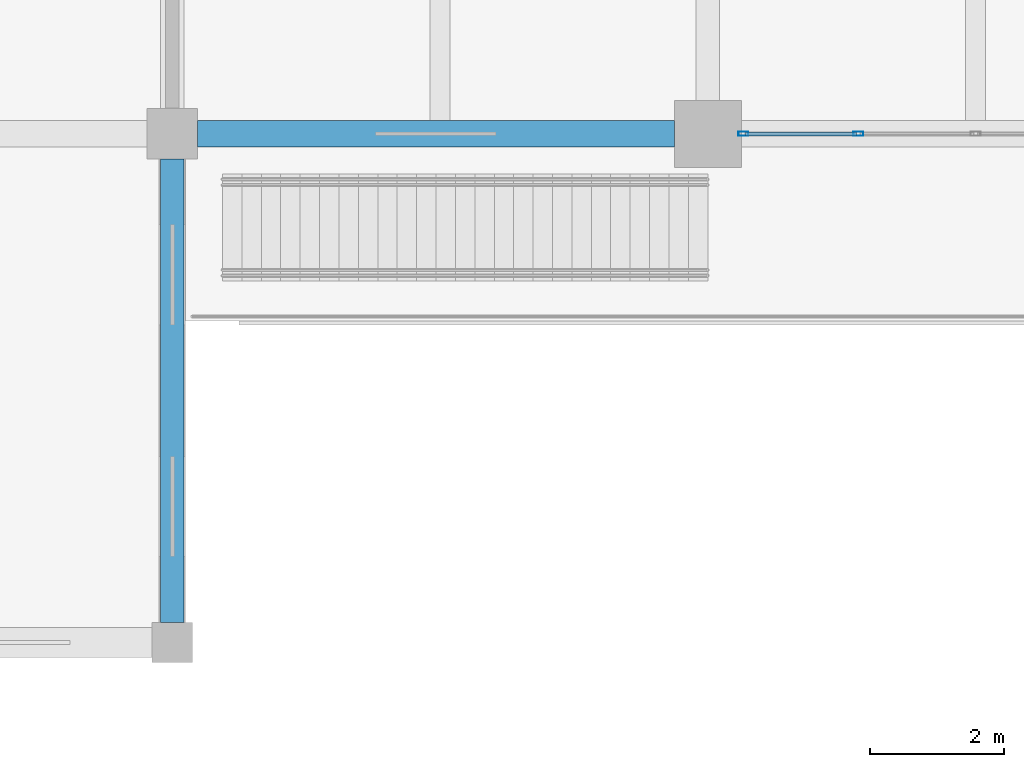
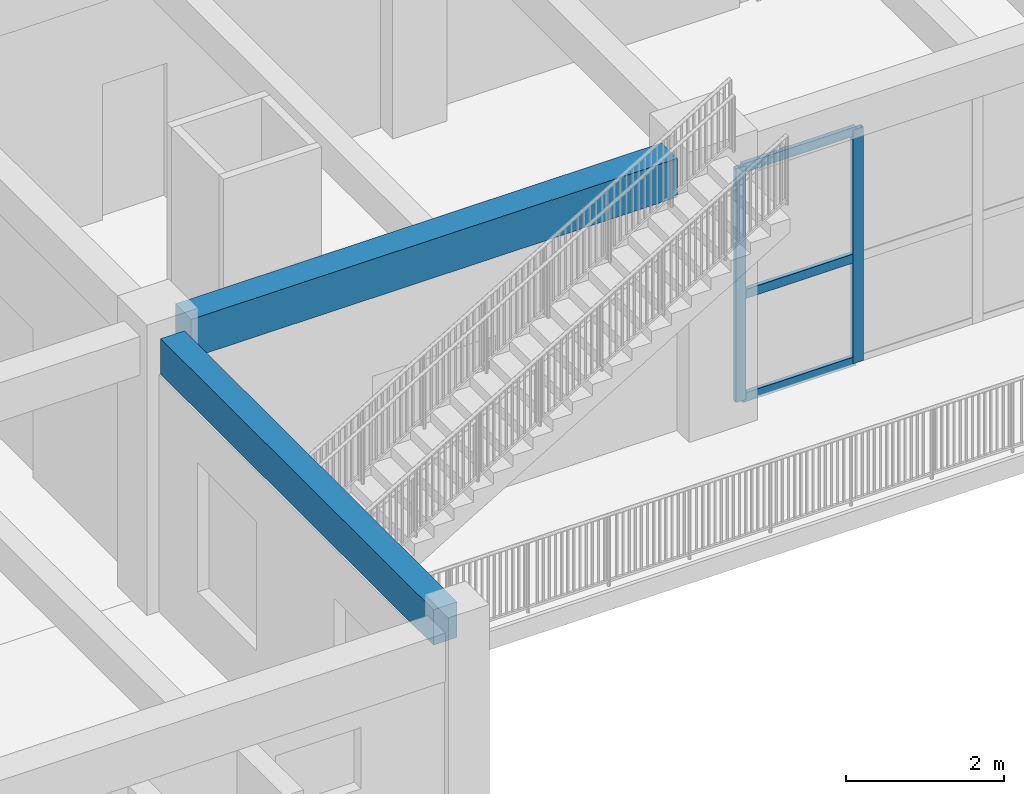
# One storey, part 7 of 79: 5 members, 2 beams, 1 element without a shape of its own.
"""IFC4 building model written with IfcOpenShell, lengths in metres."""

from ifc_helpers import new_model, si_unit, direction, frame, origin, origin_2d, place, context, subcontext, project, spatial, rectangle, hollow_rectangle, extrude, material, material_profile, profile_set, type_object, element, aggregate, save


model = new_model("IFC4")

# Units and contexts
model_context = context("Model", 3, precision=1e-05, world=origin(), true_north=direction((0.0, 1.0)))
body_context = subcontext(model_context, "Body", "Model", "MODEL_VIEW")
ifc_project = project(units=[si_unit("LENGTHUNIT", "METRE"), si_unit("AREAUNIT", "SQUARE_METRE"), si_unit("VOLUMEUNIT", "CUBIC_METRE"), si_unit("PLANEANGLEUNIT", "RADIAN"), si_unit("MASSUNIT", "GRAM", prefix="KILO")], contexts=[model_context])

# Site, building, storey
site_placement = place(None, origin())
site = spatial("IfcSite", under=ifc_project, at=site_placement, CompositionType="ELEMENT")
building_placement = place(site_placement, origin())
building = spatial("IfcBuilding", under=site, at=building_placement, Name="Zantavel Square City Hall", CompositionType="ELEMENT")
storey_placement = place(building_placement, frame((0.0, 0.0, 10.199951171875)))
storey = spatial("IfcBuildingStorey", under=building, at=storey_placement, Name="L03", CompositionType="ELEMENT", Elevation=10.199951171875)

# Curtain wall, members
ifc_material_1 = material(Name="Anodised aluminium 6063-T6", Category="aluminium")
curtain_wall_type = type_object("IfcCurtainWallType", Name="Curtain Wall TRV1 7000x3620", PredefinedType="USERDEFINED", material=ifc_material_1)
curtain_wall_placement = place(storey_placement, origin())
curtain_wall = element("IfcCurtainWall", 1, at=curtain_wall_placement, inside=storey, type_object=curtain_wall_type, Name="L03 Glazed Curtain Wall CW-L03-098", ObjectType="GLAZED CURTAIN WALL", PredefinedType="USERDEFINED")
ifc_material_profile_1 = material_profile(ifc_material_1, hollow_rectangle(XDim=0.06494140625, YDim=0.14990234375, WallThickness=0.00390625, at=origin_2d()), Name="ALU 65x150x4")
ifc_profile_set_1 = profile_set([ifc_material_profile_1], Name="Anodised aluminium 6063-T6")
member_type_1 = type_object("IfcMemberType", Name="CW Mullion ALU 65x150x4", PredefinedType="MULLION", material=ifc_profile_set_1)
member_1_placement = place(storey_placement, frame((66.25, 30.39990234375, 0.0), z_axis=(0.0, 0.0, 1.0), x_axis=(0.0, -1.0, 0.0)))
member_1 = element("IfcMember", 2, at=member_1_placement, type_object=member_type_1, Name="CW-098 mullion 4", PredefinedType="MULLION", context=body_context, shape_type="SweptSolid", body=[
    extrude(hollow_rectangle(XDim=0.06494140625, YDim=0.14990234375, WallThickness=0.00390625, at=origin_2d()), origin(), (0.0, 0.0, 1.0), 3.6201171875),
])
member_2_placement = place(storey_placement, frame((64.530029296875, 30.39990234375, 0.0), z_axis=(0.0, 0.0, 1.0), x_axis=(0.0, -1.0, 0.0)))
member_2 = element("IfcMember", 3, at=member_2_placement, type_object=member_type_1, Name="CW-098 mullion 5", PredefinedType="MULLION", context=body_context, shape_type="SweptSolid", body=[
    extrude(hollow_rectangle(XDim=0.06494140625, YDim=0.14990234375, WallThickness=0.00390625, at=origin_2d()), origin(), (0.0, 0.0, 1.0), 3.6201171875),
])
ifc_material_profile_2 = material_profile(ifc_material_1, hollow_rectangle(XDim=0.06005859375, YDim=0.139892578125, WallThickness=0.00390625, at=origin_2d()), Name="ALU 60x140x4")
ifc_profile_set_2 = profile_set([ifc_material_profile_2], Name="Anodised aluminium 6063-T6")
member_type_2 = type_object("IfcMemberType", Name="CW Transom ALU 60x140x4", PredefinedType="USERDEFINED", material=ifc_profile_set_2)
member_3_placement = place(storey_placement, frame((66.219970703125, 30.39990234375, 0.030029296875), z_axis=(-1.0, 0.0, 0.0), x_axis=(0.0, -1.0, 0.0)))
member_3 = element("IfcMember", 4, at=member_3_placement, type_object=member_type_2, Name="CW-098 transom 4.1", ObjectType="TRANSOM", PredefinedType="USERDEFINED", context=body_context, shape_type="SweptSolid", body=[
    extrude(hollow_rectangle(XDim=0.06005859375, YDim=0.139892578125, WallThickness=0.00390625, at=origin_2d()), origin(), (0.0, 0.0, 1.0), 1.659912109375),
])
member_4_placement = place(storey_placement, frame((66.219970703125, 30.39990234375, 1.629150390625), z_axis=(-1.0, 0.0, 0.0), x_axis=(0.0, -1.0, 0.0)))
member_4 = element("IfcMember", 5, at=member_4_placement, type_object=member_type_2, Name="CW-098 transom 4.2", ObjectType="TRANSOM", PredefinedType="USERDEFINED", context=body_context, shape_type="SweptSolid", body=[
    extrude(hollow_rectangle(XDim=0.06005859375, YDim=0.139892578125, WallThickness=0.00390625, at=origin_2d()), origin(), (0.0, 0.0, 1.0), 1.659912109375),
])
member_5_placement = place(storey_placement, frame((66.219970703125, 30.39990234375, 3.590087890625), z_axis=(-1.0, 0.0, 0.0), x_axis=(0.0, -1.0, 0.0)))
member_5 = element("IfcMember", 6, at=member_5_placement, type_object=member_type_2, Name="CW-098 transom 4.3", ObjectType="TRANSOM", PredefinedType="USERDEFINED", context=body_context, shape_type="SweptSolid", body=[
    extrude(hollow_rectangle(XDim=0.06005859375, YDim=0.139892578125, WallThickness=0.00390625, at=origin_2d()), origin(), (0.0, 0.0, 1.0), 1.659912109375),
])
aggregate(curtain_wall, [member_1, member_2, member_3, member_4, member_5])

# Beams
ifc_material_2 = material(Name="Concrete C35/45", Category="concrete")
ifc_material_profile_3 = material_profile(ifc_material_2, rectangle(XDim=0.39990234375, YDim=0.60009765625, at=origin_2d()), Name="RC 400x600")
ifc_profile_set_3 = profile_set([ifc_material_profile_3], Name="Concrete C35/45")
beam_type_1 = type_object("IfcBeamType", Name="Perimeter Spandrel RC 400x600 C35/45", PredefinedType="SPANDREL", material=ifc_profile_set_3)
beam_1_placement = place(storey_placement, frame((56.375, 30.39990234375, 3.920166015625), z_axis=(1.0, 0.0, 0.0), x_axis=(0.0, 1.0, 0.0)))
element("IfcBeam", 7, at=beam_1_placement, inside=storey, type_object=beam_type_1, Name="L03 Girder BMX-L03-0560-0304", PredefinedType="SPANDREL", context=body_context, shape_type="SweptSolid", body=[
    extrude(rectangle(XDim=0.39990234375, YDim=0.60009765625, at=origin_2d()), origin(), (0.0, 0.0, 1.0), 7.125),
])
ifc_material_profile_4 = material_profile(ifc_material_2, rectangle(XDim=0.35009765625, YDim=0.550048828125, at=origin_2d()), Name="RC 350x550")
ifc_profile_set_4 = profile_set([ifc_material_profile_4], Name="Concrete C35/45")
beam_type_2 = type_object("IfcBeamType", Name="Secondary Beam RC 350x550 C35/45", PredefinedType="BEAM", material=ifc_profile_set_4)
beam_2_placement = place(storey_placement, frame((56.0, 23.10009765625, 3.945068359375), z_axis=(0.0, 1.0, 0.0), x_axis=(-1.0, 0.0, 0.0)))
element("IfcBeam", 8, at=beam_2_placement, inside=storey, type_object=beam_type_2, Name="L03 Beam BMY-L03-0560-0228", PredefinedType="BEAM", context=body_context, shape_type="SweptSolid", body=[
    extrude(rectangle(XDim=0.35009765625, YDim=0.550048828125, at=origin_2d()), origin(), (0.0, 0.0, 1.0), 6.9248046875),
])

save(model, "model.ifc")
